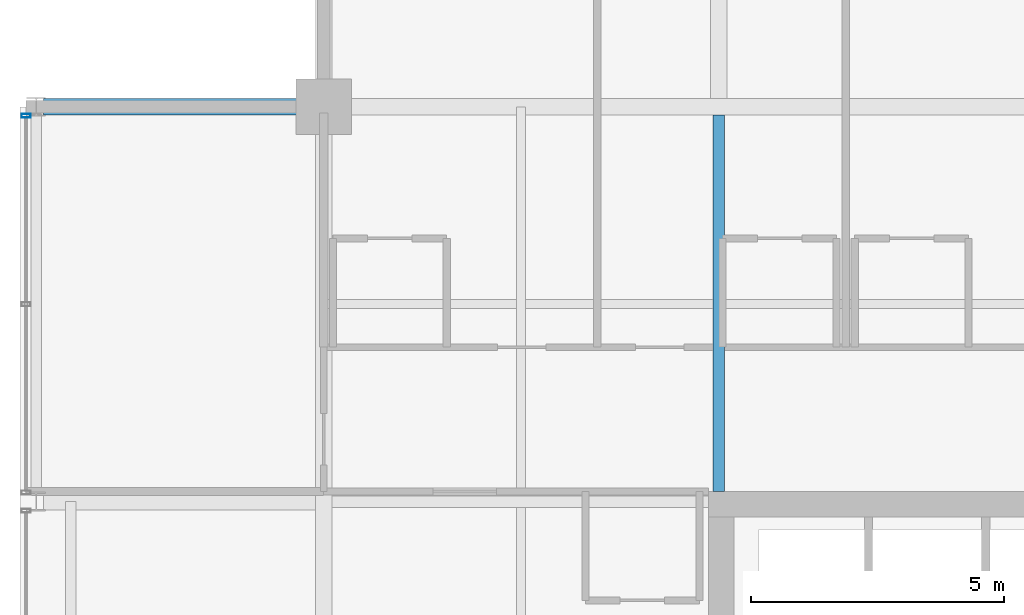
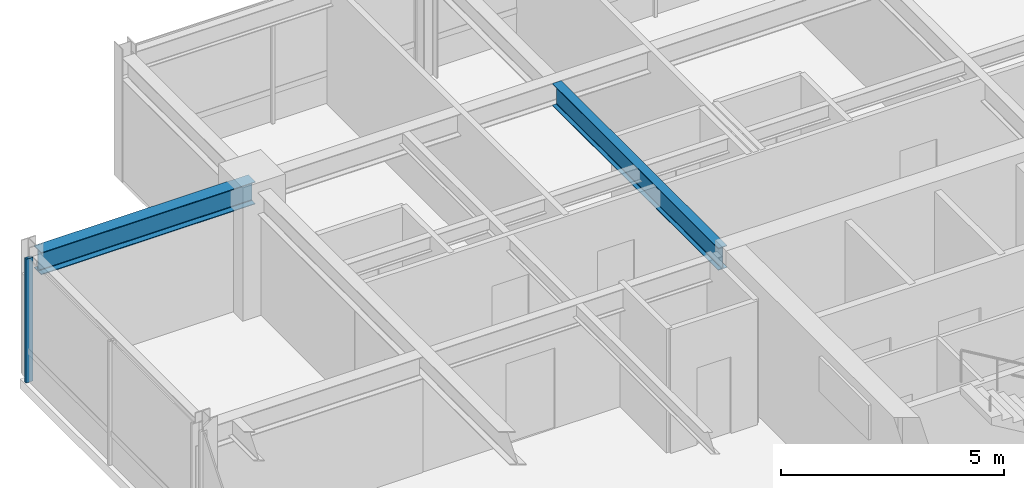
# One storey, part 17 of 32: 2 beams, 1 member, 1 element without a shape of its own.
"""IFC4 building model written with IfcOpenShell, lengths in metres."""

from ifc_helpers import new_model, si_unit, direction, frame, origin, origin_2d, place, context, subcontext, project, spatial, hollow_rectangle, i_section, extrude, material, layer, layer_set, material_profile, profile_set, type_object, element, aggregate, save


model = new_model("IFC4")

# Units and contexts
model_context = context("Model", 3, precision=1e-05, world=origin(), true_north=direction((0.0, 1.0)))
body_context = subcontext(model_context, "Body", "Model", "MODEL_VIEW")
ifc_project = project(units=[si_unit("LENGTHUNIT", "METRE"), si_unit("AREAUNIT", "SQUARE_METRE"), si_unit("VOLUMEUNIT", "CUBIC_METRE"), si_unit("PLANEANGLEUNIT", "RADIAN"), si_unit("MASSUNIT", "GRAM", prefix="KILO")], contexts=[model_context])

# Site, building, storey
site_placement = place(None, origin())
site = spatial("IfcSite", under=ifc_project, at=site_placement, CompositionType="ELEMENT")
building_placement = place(site_placement, origin())
building = spatial("IfcBuilding", under=site, at=building_placement, Name="Drelvath Grand Hotel", CompositionType="ELEMENT")
storey_placement = place(building_placement, frame((0.0, 0.0, 265.0)))
storey = spatial("IfcBuildingStorey", under=building, at=storey_placement, Name="L69", CompositionType="ELEMENT", Elevation=265.0)

# Curtain wall, member
ifc_material_1 = material(Name="Platinum-Mist Anodised Aluminium Frame", Category="aluminium")
ifc_layer = layer(ifc_material_1, 0.199951171875)
ifc_layer_set = layer_set([ifc_layer], Name="Platinum-Mist Anodised Aluminium Frame")
curtain_wall_type = type_object("IfcCurtainWallType", Name="Stick Curtain Wall CW-05 Platinum Mist High-Rise", PredefinedType="NOTDEFINED", material=ifc_layer_set)
curtain_wall_placement = place(storey_placement, origin())
curtain_wall = element("IfcCurtainWall", 1, at=curtain_wall_placement, inside=storey, type_object=curtain_wall_type, Name="L69 CW-05 Curtain Wall CW05-L69-WN2", PredefinedType="NOTDEFINED")
ifc_material_profile_1 = material_profile(ifc_material_1, hollow_rectangle(XDim=0.074951171875, YDim=0.179931640625, WallThickness=0.0048828125, at=origin_2d()), Name="HSS180X75X5")
ifc_profile_set_1 = profile_set([ifc_material_profile_1], Name="Platinum-Mist Anodised Aluminium Frame")
member_type = type_object("IfcMemberType", Name="Curtain Wall Vertical Mullion CW-05 HSS180X75X5", PredefinedType="MULLION", material=ifc_profile_set_1)
member_placement = place(storey_placement, frame((-22.080078125, 43.021728515625, 0.0), z_axis=(0.0, 0.0, 1.0), x_axis=(0.0, 1.0, 0.0)))
member = element("IfcMember", 2, at=member_placement, type_object=member_type, Name="CW05-L69-WN2 Mullion 3", PredefinedType="MULLION", context=body_context, shape_type="SweptSolid", body=[
    extrude(hollow_rectangle(XDim=0.074951171875, YDim=0.179931640625, WallThickness=0.0048828125, at=origin_2d()), origin(), (0.0, 0.0, 1.0), 3.389892578125),
])
aggregate(curtain_wall, [member])

# Beams
ifc_material_2 = material(Name="Steel ASTM A992 Gr 50", Category="steel")
ifc_material_profile_2 = material_profile(ifc_material_2, i_section(OverallWidth=0.323974609375, OverallDepth=0.611083984375, WebThickness=0.0126953125, FlangeThickness=0.01904296875, FilletRadius=0.02197265625, at=origin_2d()), Name="W24X104")
ifc_profile_set_2 = profile_set([ifc_material_profile_2], Name="Steel ASTM A992 Gr 50")
beam_type_1 = type_object("IfcBeamType", Name="Primary Floor Girder W24X104", PredefinedType="BEAM", material=ifc_profile_set_2)
beam_1_placement = place(storey_placement, frame((-21.739990234375, 43.199951171875, 3.08447265625), z_axis=(1.0, 0.0, 0.0), x_axis=(0.0, 1.0, 0.0)))
element("IfcBeam", 3, at=beam_1_placement, inside=storey, type_object=beam_type_1, Name="L69 West Grid Girder G", PredefinedType="BEAM", context=body_context, shape_type="SweptSolid", body=[
    extrude(i_section(OverallWidth=0.323974609375, OverallDepth=0.611083984375, WebThickness=0.0126953125, FlangeThickness=0.01904296875, FilletRadius=0.02197265625, at=origin_2d()), origin(), (0.0, 0.0, 1.0), 5.5400390625),
])
ifc_material_profile_3 = material_profile(ifc_material_2, i_section(OverallWidth=0.228271484375, OverallDepth=0.607666015625, WebThickness=0.01123046875, FlangeThickness=0.017333984375, FilletRadius=0.02001953125, at=origin_2d()), Name="W24X76")
ifc_profile_set_3 = profile_set([ifc_material_profile_3], Name="Steel ASTM A992 Gr 50")
beam_type_2 = type_object("IfcBeamType", Name="Primary Floor Girder W24X76", PredefinedType="BEAM", material=ifc_profile_set_3)
beam_2_placement = place(storey_placement, frame((-8.39990234375, 35.60009765625, 3.086181640625), z_axis=(0.0, 1.0, 0.0), x_axis=(-1.0, 0.0, 0.0)))
element("IfcBeam", 4, at=beam_2_placement, inside=storey, type_object=beam_type_2, Name="L69 North Core Tie 4", PredefinedType="BEAM", context=body_context, shape_type="SweptSolid", body=[
    extrude(i_section(OverallWidth=0.228271484375, OverallDepth=0.607666015625, WebThickness=0.01123046875, FlangeThickness=0.017333984375, FilletRadius=0.02001953125, at=origin_2d()), origin(), (0.0, 0.0, 1.0), 7.43798828125),
])

save(model, "model.ifc")
